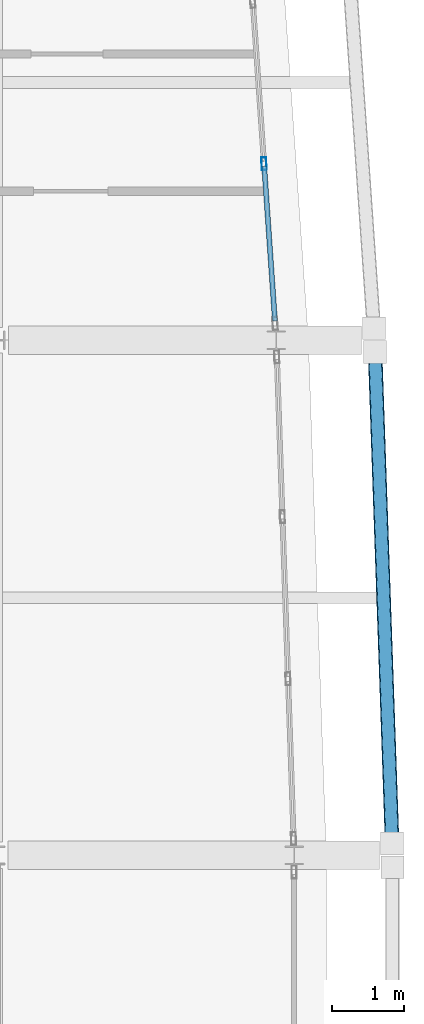
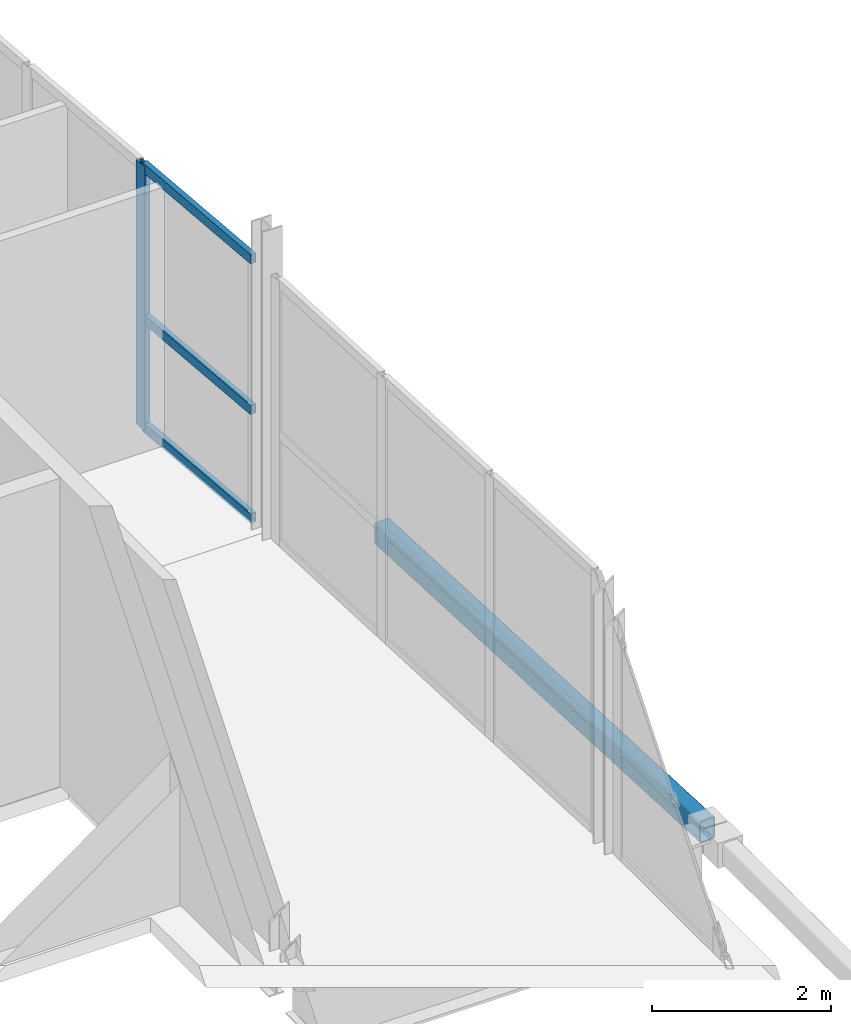
# One storey, part 7 of 17: 4 members, 1 beam, 1 element without a shape of its own.
"""IFC4 building model written with IfcOpenShell, lengths in metres."""

from ifc_helpers import new_model, si_unit, direction, frame, origin, origin_2d, place, context, subcontext, project, spatial, hollow_rectangle, extrude, material, layer, layer_set, material_profile, profile_set, type_object, element, aggregate, save


model = new_model("IFC4")

# Units and contexts
model_context = context("Model", 3, precision=1e-05, world=origin(), true_north=direction((0.0, 1.0)))
body_context = subcontext(model_context, "Body", "Model", "MODEL_VIEW")
ifc_project = project(units=[si_unit("LENGTHUNIT", "METRE"), si_unit("AREAUNIT", "SQUARE_METRE"), si_unit("VOLUMEUNIT", "CUBIC_METRE"), si_unit("PLANEANGLEUNIT", "RADIAN"), si_unit("MASSUNIT", "GRAM", prefix="KILO")], contexts=[model_context])

# Site, building, storey
site_placement = place(None, origin())
site = spatial("IfcSite", under=ifc_project, at=site_placement, CompositionType="ELEMENT")
building_placement = place(site_placement, origin())
building = spatial("IfcBuilding", under=site, at=building_placement, Name="Quillay Park Conservatory", CompositionType="ELEMENT")
storey_placement = place(building_placement, frame((0.0, 0.0, 60.300048828125)))
storey = spatial("IfcBuildingStorey", under=building, at=storey_placement, Name="L14", CompositionType="ELEMENT", Elevation=60.300048828125)

# Curtain wall, members
ifc_material_1 = material(Name="Thermally Broken Anodised Aluminium 6063-T6", Category="aluminium")
ifc_layer = layer(ifc_material_1, 0.179931640625)
ifc_layer_set = layer_set([ifc_layer], Name="UNITISED CURTAIN WALL TOWER (Thermally Broken Anodised Aluminium 6063-T6)")
curtain_wall_type = type_object("IfcCurtainWallType", Name="UNITISED CURTAIN WALL TOWER", PredefinedType="USERDEFINED", material=ifc_layer_set)
curtain_wall_placement = place(storey_placement, origin())
curtain_wall = element("IfcCurtainWall", 1, at=curtain_wall_placement, inside=storey, type_object=curtain_wall_type, Name="L14 Unitised Curtain Wall 134", ObjectType="UNITISED CURTAIN WALL", PredefinedType="USERDEFINED")
ifc_material_2 = material(Name="Thermally Broken Anodised Aluminium 6063-T6", Category="aluminium")
ifc_material_profile_1 = material_profile(ifc_material_2, hollow_rectangle(XDim=0.070068359375, YDim=0.179931640625, WallThickness=0.00390625, at=origin_2d()), Name="AL70x180x4")
ifc_profile_set_1 = profile_set([ifc_material_profile_1], Name="Thermally Broken Anodised Aluminium 6063-T6")
member_type_1 = type_object("IfcMemberType", Name="CURTAIN WALL MULLION 70 X180", PredefinedType="MULLION", material=ifc_profile_set_1)
member_1_placement = place(storey_placement, frame((23.503662109375, 102.06640625, 0.0), z_axis=(0.0, 0.0, 1.0), x_axis=(0.99759835015, 0.069264217159, 0.0)))
member_1 = element("IfcMember", 2, at=member_1_placement, type_object=member_type_1, Name="CW-T1 mullion 3", PredefinedType="MULLION", context=body_context, shape_type="SweptSolid", body=[
    extrude(hollow_rectangle(XDim=0.070068359375, YDim=0.179931640625, WallThickness=0.00390625, at=origin_2d()), origin(), (0.0, 0.0, 1.0), 3.598876953125),
])
ifc_material_3 = material(Name="Thermally Broken Anodised Aluminium 6063-T6", Category="aluminium")
ifc_material_profile_2 = material_profile(ifc_material_3, hollow_rectangle(XDim=0.070068359375, YDim=0.1298828125, WallThickness=0.003173828125, at=origin_2d()), Name="AL70x130x3.2")
ifc_profile_set_2 = profile_set([ifc_material_profile_2], Name="Thermally Broken Anodised Aluminium 6063-T6")
member_type_2 = type_object("IfcMemberType", Name="CURTAIN WALL TRANSOM 70 X130", PredefinedType="USERDEFINED", material=ifc_profile_set_2)
member_2_placement = place(storey_placement, frame((23.506103515625, 102.031494140625, 0.034912109375), z_axis=(0.069277598678, -0.997597420968, 0.0), x_axis=(0.997597420968, 0.069277598678, 0.0)))
member_2 = element("IfcMember", 3, at=member_2_placement, type_object=member_type_2, Name="CW-T1 transom 3.1", ObjectType="TRANSOM", PredefinedType="USERDEFINED", context=body_context, shape_type="SweptSolid", body=[
    extrude(hollow_rectangle(XDim=0.070068359375, YDim=0.1298828125, WallThickness=0.003173828125, at=origin_2d()), origin(), (0.0, 0.0, 1.0), 2.167236328125),
])
member_3_placement = place(storey_placement, frame((23.506103515625, 102.031494140625, 1.511474609375), z_axis=(0.069277598678, -0.997597420968, 0.0), x_axis=(0.997597420968, 0.069277598678, 0.0)))
member_3 = element("IfcMember", 4, at=member_3_placement, type_object=member_type_2, Name="CW-T1 transom 3.2", ObjectType="TRANSOM", PredefinedType="USERDEFINED", context=body_context, shape_type="SweptSolid", body=[
    extrude(hollow_rectangle(XDim=0.070068359375, YDim=0.1298828125, WallThickness=0.003173828125, at=origin_2d()), origin(), (0.0, 0.0, 1.0), 2.167236328125),
])
member_4_placement = place(storey_placement, frame((23.506103515625, 102.031494140625, 3.56396484375), z_axis=(0.069277598678, -0.997597420968, 0.0), x_axis=(0.997597420968, 0.069277598678, 0.0)))
member_4 = element("IfcMember", 5, at=member_4_placement, type_object=member_type_2, Name="CW-T1 transom 3.3", ObjectType="TRANSOM", PredefinedType="USERDEFINED", context=body_context, shape_type="SweptSolid", body=[
    extrude(hollow_rectangle(XDim=0.070068359375, YDim=0.1298828125, WallThickness=0.003173828125, at=origin_2d()), origin(), (0.0, 0.0, 1.0), 2.167236328125),
])
aggregate(curtain_wall, [member_1, member_2, member_3, member_4])

# Beam
ifc_material_4 = material(Name="Steel S355J2H", Category="steel")
ifc_material_profile_3 = material_profile(ifc_material_4, hollow_rectangle(XDim=0.199951171875, YDim=0.300048828125, WallThickness=0.012451171875, InnerFilletRadius=0.012451171875, OuterFilletRadius=0.02490234375, at=origin_2d()), Name="RHS300x200x12.5")
ifc_profile_set_3 = profile_set([ifc_material_profile_3], Name="Steel S355J2H")
beam_type = type_object("IfcBeamType", Name="PERIMETER SPANDREL BEAM RHS300", PredefinedType="SPANDREL", material=ifc_profile_set_3)
beam_placement = place(storey_placement, frame((25.293701171875, 92.577880859375, -0.364990234375), z_axis=(-0.034686968465, 0.999398226043, 0.0), x_axis=(-0.999398226043, -0.034686968465, 0.0)))
element("IfcBeam", 6, at=beam_placement, inside=storey, type_object=beam_type, Name="L14 beam BM-SPE-0981", PredefinedType="SPANDREL", context=body_context, shape_type="SweptSolid", body=[
    extrude(hollow_rectangle(XDim=0.199951171875, YDim=0.300048828125, WallThickness=0.012451171875, InnerFilletRadius=0.012451171875, OuterFilletRadius=0.02490234375, at=origin_2d()), origin(), (0.0, 0.0, 1.0), 6.848388671875),
])

save(model, "model.ifc")
